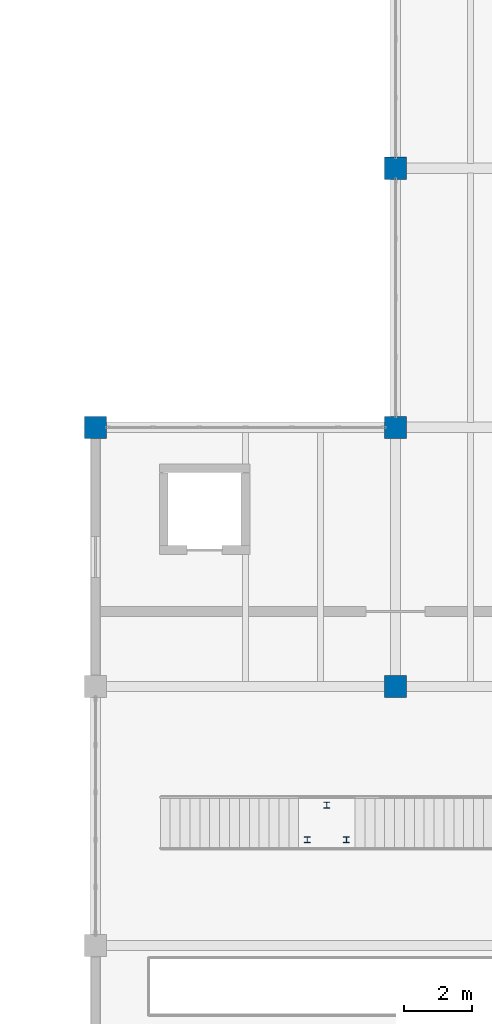
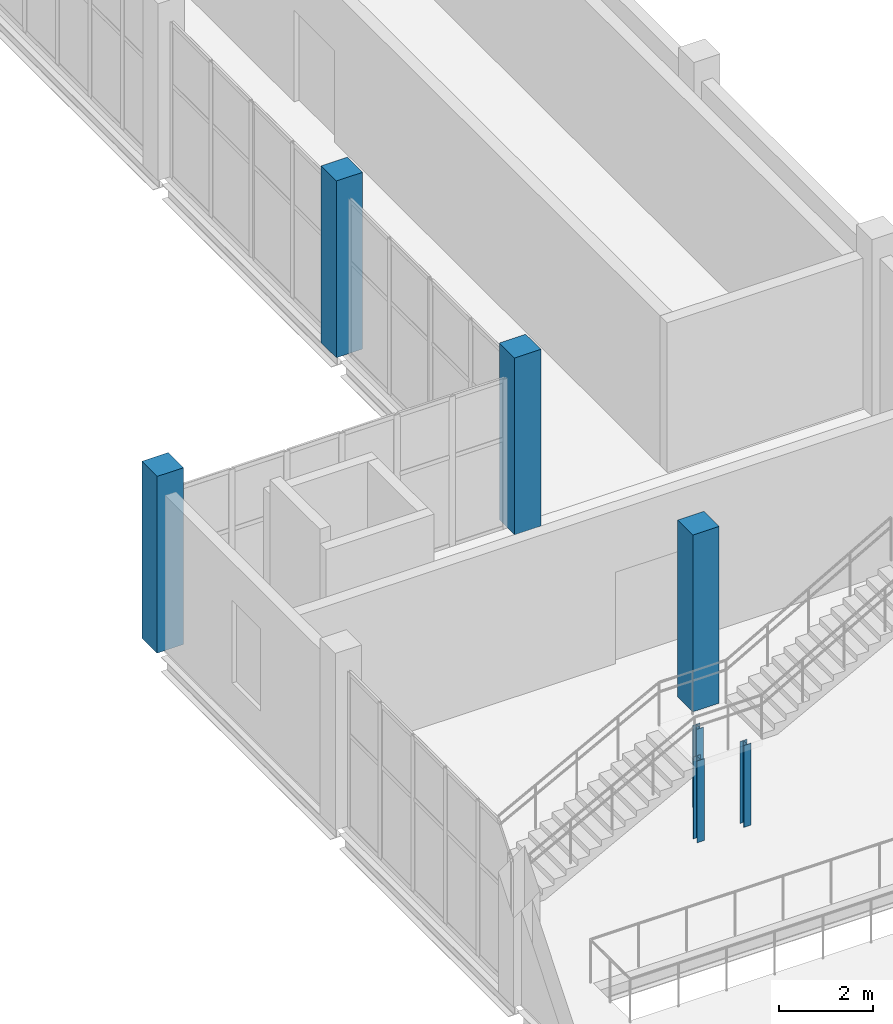
# One storey, part 12 of 172: 7 columns.
"""IFC4 building model written with IfcOpenShell, lengths in metres."""

from ifc_helpers import new_model, si_unit, direction, frame, origin, origin_2d, place, context, subcontext, project, spatial, rectangle, i_section, extrude, material, material_profile, profile_set, type_object, element, save


model = new_model("IFC4")

# Units and contexts
model_context = context("Model", 3, precision=1e-05, world=origin(), true_north=direction((0.0, 1.0)))
body_context = subcontext(model_context, "Body", "Model", "MODEL_VIEW")
ifc_project = project(units=[si_unit("LENGTHUNIT", "METRE"), si_unit("AREAUNIT", "SQUARE_METRE"), si_unit("VOLUMEUNIT", "CUBIC_METRE"), si_unit("PLANEANGLEUNIT", "RADIAN"), si_unit("MASSUNIT", "GRAM", prefix="KILO")], contexts=[model_context])

# Site, building, storey
site_placement = place(None, origin())
site = spatial("IfcSite", under=ifc_project, at=site_placement, CompositionType="ELEMENT")
building_placement = place(site_placement, origin())
building = spatial("IfcBuilding", under=site, at=building_placement, Name="Shengluoqiao Park Theatre", CompositionType="ELEMENT")
storey_placement = place(building_placement, frame((0.0, 0.0, 5.39990234375)))
storey = spatial("IfcBuildingStorey", under=building, at=storey_placement, Name="L01", CompositionType="ELEMENT", Elevation=5.39990234375)

# Columns
ifc_material_1 = material(Name="Steel Q355", Category="steel")
ifc_material_profile_1 = material_profile(ifc_material_1, i_section(OverallWidth=0.175048828125, OverallDepth=0.175048828125, WebThickness=0.007568359375, FlangeThickness=0.010986328125, FilletRadius=0.012939453125, at=origin_2d()), Name="HW 175x175x7.5x11")
ifc_profile_set_1 = profile_set([ifc_material_profile_1], Name="Steel Q355")
column_type_1 = type_object("IfcColumnType", Name="STR-COL-C-HW175", PredefinedType="COLUMN", material=ifc_profile_set_1)
for number, where, z_axis, x_axis, name in (
    (1, (154.610107421875, 10.699951171875, 0.0), (0.0, 0.0, 1.0), (1.0, 0.0, 0.0), "ST-09-L01 L01 Landing Column W"),
    (2, (155.760009765625, 10.699951171875, 0.0), (0.0, 0.0, 1.0), (1.0, 0.0, 0.0), "ST-09-L01 L01 Landing Column E"),
    (3, (155.18505859375, 11.719970703125, 0.0), (0.0, 0.0, 1.0), (1.0, 0.0, 0.0), "ST-09-L01 L01 Landing Column N"),
):
    element("IfcColumn", number, at=place(storey_placement, frame(where, z_axis=z_axis, x_axis=x_axis)), inside=storey, type_object=column_type_1, Name=name, PredefinedType="COLUMN", context=body_context, shape_type="SweptSolid", body=[
        extrude(i_section(OverallWidth=0.175048828125, OverallDepth=0.175048828125, WebThickness=0.007568359375, FlangeThickness=0.010986328125, FilletRadius=0.012939453125, at=origin_2d()), origin(), (0.0, 0.0, 1.0), 2.130126953125),
    ])
ifc_material_2 = material(Name="Concrete C40", Category="concrete")
ifc_material_profile_2 = material_profile(ifc_material_2, rectangle(XDim=0.64990234375, YDim=0.64990234375, at=origin_2d()), Name="RC 650x650")
ifc_profile_set_2 = profile_set([ifc_material_profile_2], Name="Concrete C40")
column_type_2 = type_object("IfcColumnType", Name="STR-COL-C-RC650", PredefinedType="COLUMN", material=ifc_profile_set_2)
for number, where, z_axis, x_axis, name in (
    (4, (148.39990234375, 22.800048828125, 0.0), (0.0, 0.0, 1.0), (1.0, 0.0, 0.0), "L01 Column 0725"),
    (5, (157.199951171875, 15.199951171875, 0.0), (0.0, 0.0, 1.0), (1.0, 0.0, 0.0), "L01 Column 0776"),
    (6, (157.199951171875, 22.800048828125, 0.0), (0.0, 0.0, 1.0), (1.0, 0.0, 0.0), "L01 Column 0779"),
    (7, (157.199951171875, 30.39990234375, 0.0), (0.0, 0.0, 1.0), (1.0, 0.0, 0.0), "L01 Column 0782"),
):
    element("IfcColumn", number, at=place(storey_placement, frame(where, z_axis=z_axis, x_axis=x_axis)), inside=storey, type_object=column_type_2, Name=name, PredefinedType="COLUMN", context=body_context, shape_type="SweptSolid", body=[
        extrude(rectangle(XDim=0.64990234375, YDim=0.64990234375, at=origin_2d()), origin(), (0.0, 0.0, 1.0), 4.60009765625),
    ])

save(model, "model.ifc")
